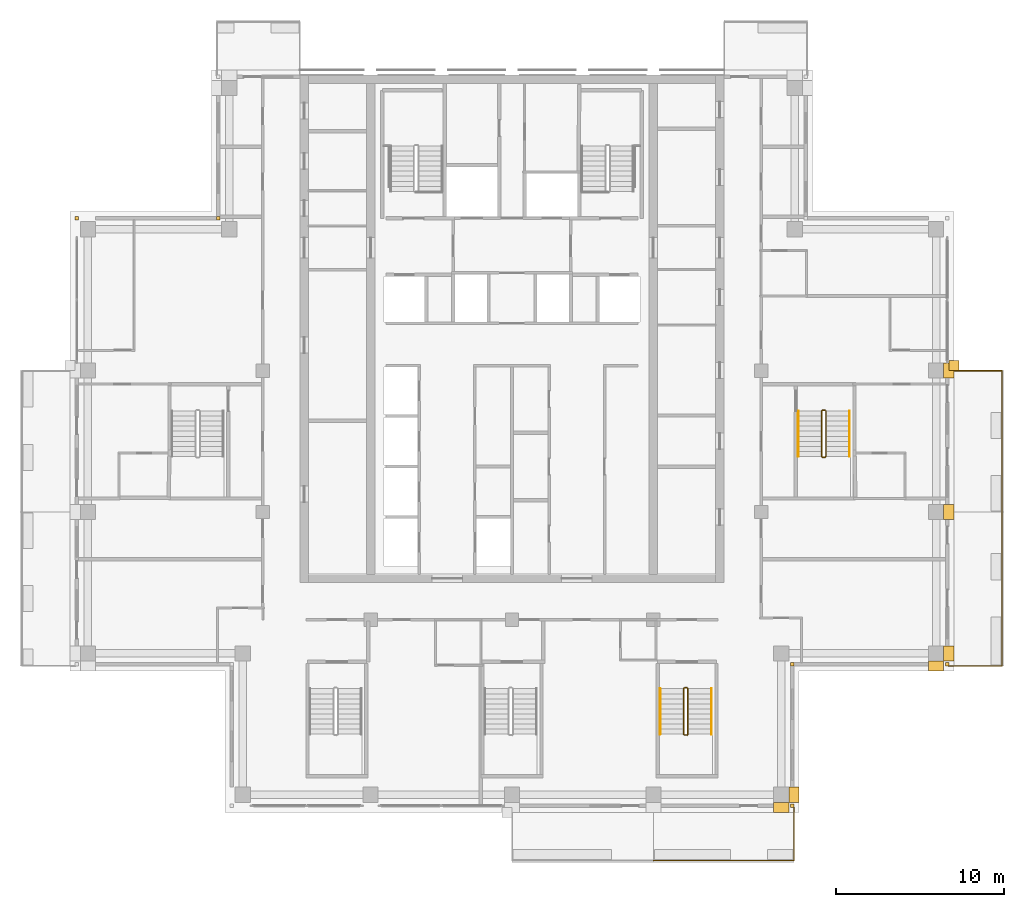
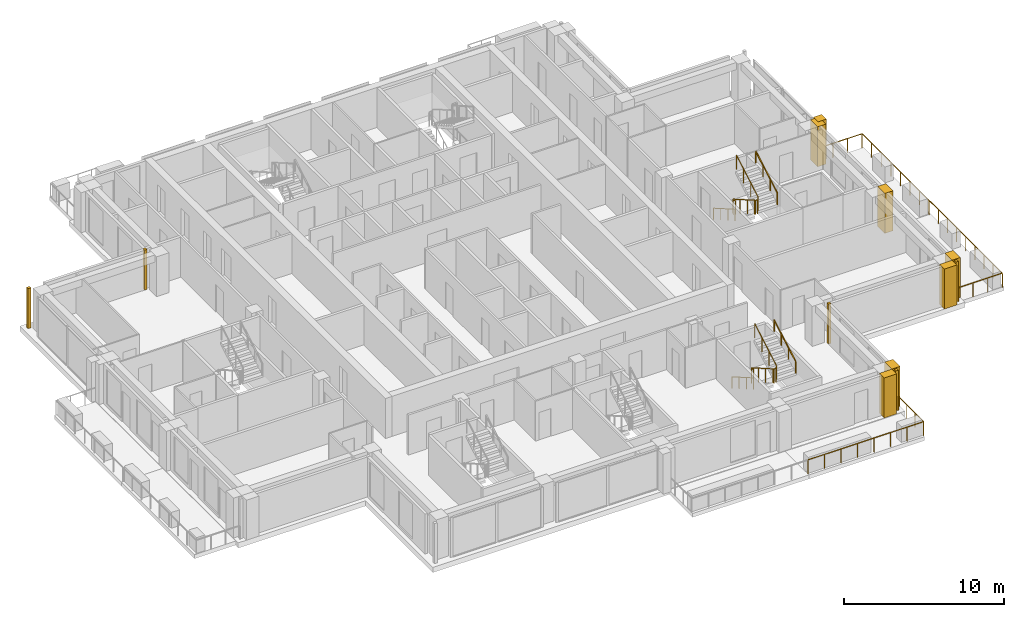
# One storey, part 16 of 17: 12 coverings, 9 railings.
"""IFC4 building model written with IfcOpenShell, lengths in metres."""

import ifcopenshell
import ifcopenshell.guid

model = None  # the IFC model being written
_history = None  # IfcOwnerHistory: only IFC2X3 demands one
_inside = {}  # id of a spatial element -> (the spatial element, [elements in it])
_under = {}  # id of a project, library or spatial element -> (it, [spatial elements below it])
_declared = {}  # id of a project -> (the project, [libraries it declares])
_typed = {}  # id of a type object -> (the type object, [elements of that type])
_made_of = {}  # id of a material, layer set ... -> (it, [elements and type objects made of it])


def new_model(schema):
    """Start an empty IFC model of exactly this schema.

    Asked for "IFC4X3", IfcOpenShell would pick the latest addendum, in which some entities
    have other attributes; the version numbers below select the first issue.
    IFC2X3 requires an IfcOwnerHistory on every rooted entity: one is made here for all.
    """
    global model, _history
    if schema == "IFC4X3":
        model = ifcopenshell.file(schema_version=(4, 3, 0, 0))
    else:
        model = ifcopenshell.file(schema=schema)
    _inside.clear()
    _under.clear()
    _declared.clear()
    _typed.clear()
    _made_of.clear()
    _history = None
    if model.schema == "IFC2X3":
        org = make("IfcOrganization", Name="unknown")
        user = make(
            "IfcPersonAndOrganization",
            ThePerson=make("IfcPerson", FamilyName="unknown"),
            TheOrganization=org,
        )
        app = make(
            "IfcApplication",
            ApplicationDeveloper=org,
            Version="unknown",
            ApplicationFullName="unknown",
            ApplicationIdentifier="unknown",
        )
        _history = make(
            "IfcOwnerHistory",
            OwningUser=user,
            OwningApplication=app,
            ChangeAction="ADDED",
            CreationDate=0,
        )
    return model


def make(cls, **values):
    """One entity of the class cls with the attributes given. An attribute that is None is left unset."""
    return model.create_entity(
        cls, **{name: value for name, value in values.items() if value is not None}
    )


def rooted(cls, **values):
    """An entity with a GlobalId (a new one), such as an element, a storey or a relation."""
    return make(cls, GlobalId=ifcopenshell.guid.new(), OwnerHistory=_history, **values)


def si_unit(unit_type, name, prefix=None):
    """IfcSIUnit, for example si_unit("LENGTHUNIT", "METRE", prefix="MILLI")."""
    return make("IfcSIUnit", UnitType=unit_type, Prefix=prefix, Name=name)


def assignment(units):
    """IfcUnitAssignment: the units of a project."""
    return None if units is None else make("IfcUnitAssignment", Units=units)


def point(xyz):
    """IfcCartesianPoint."""
    return None if xyz is None else make("IfcCartesianPoint", Coordinates=xyz)


def direction(xyz):
    """IfcDirection."""
    return None if xyz is None else make("IfcDirection", DirectionRatios=xyz)


def frame(location, z_axis=None, x_axis=None):
    """IfcAxis2Placement3D, a coordinate frame: its origin and axes. An axis left out is left unset."""
    return make(
        "IfcAxis2Placement3D",
        Location=point(location),
        Axis=direction(z_axis),
        RefDirection=direction(x_axis),
    )


def frame_2d(location, x_axis=None):
    """IfcAxis2Placement2D, a coordinate frame in the plane: its origin and x axis."""
    return make(
        "IfcAxis2Placement2D", Location=point(location), RefDirection=direction(x_axis)
    )


def origin():
    """The frame at (0, 0, 0) with its axes left unset."""
    return frame((0.0, 0.0, 0.0))


def origin_2d():
    """The frame at (0, 0) in the plane with its x axis left unset."""
    return frame_2d((0.0, 0.0))


def place(relative_to, where):
    """IfcLocalPlacement: puts the frame where relative to a parent placement (None: the world)."""
    return make(
        "IfcLocalPlacement", PlacementRelTo=relative_to, RelativePlacement=where
    )


def context(
    kind, dimensions, precision=None, world=None, true_north=None, identifier=None
):
    """IfcGeometricRepresentationContext, for example the 3D "Model" context."""
    return make(
        "IfcGeometricRepresentationContext",
        ContextIdentifier=identifier,
        ContextType=kind,
        CoordinateSpaceDimension=dimensions,
        Precision=precision,
        WorldCoordinateSystem=world,
        TrueNorth=true_north,
    )


def subcontext(parent, identifier, kind, view, scale=None):
    """IfcGeometricRepresentationSubContext, for example "Body" below "Model"."""
    return make(
        "IfcGeometricRepresentationSubContext",
        ContextIdentifier=identifier,
        ContextType=kind,
        ParentContext=parent,
        TargetScale=scale,
        TargetView=view,
    )


def project(units=None, contexts=None):
    """IfcProject with its units and contexts."""
    return rooted(
        "IfcProject",
        Name="project",
        RepresentationContexts=contexts,
        UnitsInContext=assignment(units),
    )


def spatial(cls, under=None, at=None, **own):
    """A site, building, storey or space (cls), placed at a placement, below another one or the project."""
    s = rooted(cls, ObjectPlacement=at, **own)
    if under is not None:
        _under.setdefault(under.id(), (under, []))[1].append(s)
    return s


def polyline(points):
    """IfcPolyline through the points."""
    return make("IfcPolyline", Points=[point(p) for p in points])


def profile(cls, at=None, kind="AREA", **sizes):
    """A parametric profile (cls). Its sizes go by their IFC names, for example OverallWidth=200.0."""
    return make(cls, ProfileType=kind, Position=at, **sizes)


def rectangle(**sizes):
    """IfcRectangleProfileDef."""
    return profile("IfcRectangleProfileDef", **sizes)


def outline(outer, holes=None, kind="AREA"):
    """IfcArbitraryClosedProfileDef: a profile drawn as a closed curve; with holes, ...WithVoids."""
    if holes is None:
        return make("IfcArbitraryClosedProfileDef", ProfileType=kind, OuterCurve=outer)
    return make(
        "IfcArbitraryProfileDefWithVoids",
        ProfileType=kind,
        OuterCurve=outer,
        InnerCurves=holes,
    )


def extrude(swept, where, along, depth):
    """IfcExtrudedAreaSolid: the profile swept, set in the frame where, extruded along a direction by depth."""
    return make(
        "IfcExtrudedAreaSolid",
        SweptArea=swept,
        Position=where,
        ExtrudedDirection=direction(along),
        Depth=depth,
    )


def shape(context_of_items, identifier, shape_type, items):
    """IfcShapeRepresentation: the items that make up one representation, for example the "Body"."""
    return make(
        "IfcShapeRepresentation",
        ContextOfItems=context_of_items,
        RepresentationIdentifier=identifier,
        RepresentationType=shape_type,
        Items=items,
    )


def material(Name=None, Category=None):
    """IfcMaterial."""
    return make("IfcMaterial", Name=Name, Category=Category)


def made_of(thing, what):
    """Note that an element or type object is made of a material, layer set ...; save() writes the relation."""
    if what is not None:
        _made_of.setdefault(what.id(), (what, []))[1].append(thing)
    return thing


def type_object(cls, material=None, **own):
    """A type object (cls), such as IfcWallType, which elements share."""
    return made_of(rooted(cls, **own), material)


def element(
    cls,
    number,
    at=None,
    inside=None,
    cuts=None,
    type_object=None,
    material=None,
    context=None,
    identifier="Body",
    shape_type=None,
    held_by="IfcProductDefinitionShape",
    body=None,
    shapes=None,
    **own,
):
    """One element of the class cls, such as IfcWall. Its Tag is "e" and its number.

    at: its placement. inside: the storey or other place that contains it. cuts: it is an
    opening in that element (IfcRelVoidsElement). A single representation is given by context,
    identifier, shape_type and body (its items); several are given by shapes. held_by: the class
    of the entity that holds the representations. save() writes the other relations.
    """
    e = rooted(cls, Tag="e%d" % number, ObjectPlacement=at, **own)
    if body is not None:
        shapes = [shape(context, identifier, shape_type, body)]
    if shapes is not None:
        e.Representation = make(held_by, Representations=shapes)
    if inside is not None:
        _inside.setdefault(inside.id(), (inside, []))[1].append(e)
    if cuts is not None:
        rooted(
            "IfcRelVoidsElement", RelatingBuildingElement=cuts, RelatedOpeningElement=e
        )
    if type_object is not None:
        _typed.setdefault(type_object.id(), (type_object, []))[1].append(e)
    return made_of(e, material)


def aggregate(whole, parts):
    """IfcRelAggregates: a whole, such as a stair, and the parts it consists of."""
    return rooted("IfcRelAggregates", RelatingObject=whole, RelatedObjects=parts)


def save(model, path):
    """Write the relations noted so far, then the file.

    IfcRelAggregates (storeys below a building ...), IfcRelContainedInSpatialStructure (elements
    in a storey), IfcRelDefinesByType, IfcRelAssociatesMaterial and IfcRelDeclares: one each for
    every whole, place, type object, material and project.
    """
    for whole, parts in _under.values():
        aggregate(whole, parts)
    for where, things in _inside.values():
        rooted(
            "IfcRelContainedInSpatialStructure",
            RelatedElements=things,
            RelatingStructure=where,
        )
    for kind, things in _typed.values():
        rooted("IfcRelDefinesByType", RelatedObjects=things, RelatingType=kind)
    for what, things in _made_of.values():
        rooted("IfcRelAssociatesMaterial", RelatedObjects=things, RelatingMaterial=what)
    for by, libraries in _declared.values():
        rooted("IfcRelDeclares", RelatingContext=by, RelatedDefinitions=libraries)
    model.write(path)


model = new_model("IFC4")

# Units and contexts
model_context = context("Model", 3, precision=1e-05, world=origin(), true_north=direction((0.0, 1.0)))
body_context = subcontext(model_context, "Body", "Model", "MODEL_VIEW")
ifc_project = project(units=[si_unit("LENGTHUNIT", "METRE"), si_unit("AREAUNIT", "SQUARE_METRE"), si_unit("VOLUMEUNIT", "CUBIC_METRE"), si_unit("PLANEANGLEUNIT", "RADIAN"), si_unit("MASSUNIT", "GRAM", prefix="KILO")], contexts=[model_context])

# Site, building, storey
site_placement = place(None, origin())
site = spatial("IfcSite", under=ifc_project, at=site_placement, CompositionType="ELEMENT")
building_placement = place(site_placement, origin())
building = spatial("IfcBuilding", under=site, at=building_placement, Name="Vermilion Ogive Tower", CompositionType="ELEMENT")
storey_placement = place(building_placement, frame((0.0, 0.0, 244.14990234375)))
storey = spatial("IfcBuildingStorey", under=building, at=storey_placement, Name="L64", CompositionType="ELEMENT", Elevation=244.14990234375)

# Railings
ifc_material_1 = material(Name="Stainless steel and glass", Category="steel")
railing_type_1 = type_object("IfcRailingType", Name="Balcony guard", PredefinedType="GUARDRAIL", material=ifc_material_1)
railing_1_placement = place(storey_placement, frame((8.39990234375, -24.909912109375, -0.039794921875)))
element("IfcRailing", 1, at=railing_1_placement, inside=storey, type_object=railing_type_1, Name="Guard S04", PredefinedType="GUARDRAIL", context=body_context, shape_type="SweptSolid", body=[
    extrude(rectangle(XDim=0.048095703125, YDim=0.048095703125, at=origin_2d()), frame((0.0, 0.0, 1.076171875), z_axis=(1.0, 0.0, 0.0), x_axis=(0.0, 1.0, 0.0)), (0.0, 0.0, 1.0), 8.35009765625),
    extrude(rectangle(XDim=0.048095703125, YDim=0.048095703125, at=origin_2d()), frame((8.35009765625, 0.0, 1.076171875), z_axis=(0.0, 1.0, 0.0), x_axis=(-1.0, 0.0, 0.0)), (0.0, 0.0, 1.0), 3.159912109375),
    extrude(rectangle(XDim=0.0419921875, YDim=0.0419921875, at=origin_2d()), origin(), (0.0, 0.0, 1.0), 1.052001953125),
    extrude(rectangle(XDim=0.0419921875, YDim=0.0419921875, at=origin_2d()), frame((1.19287109375, 0.0, 0.0)), (0.0, 0.0, 1.0), 1.052001953125),
    extrude(rectangle(XDim=0.0419921875, YDim=0.0419921875, at=origin_2d()), frame((2.3857421875, 0.0, 0.0)), (0.0, 0.0, 1.0), 1.052001953125),
    extrude(rectangle(XDim=0.0419921875, YDim=0.0419921875, at=origin_2d()), frame((3.57861328125, 0.0, 0.0)), (0.0, 0.0, 1.0), 1.052001953125),
    extrude(rectangle(XDim=0.0419921875, YDim=0.0419921875, at=origin_2d()), frame((4.771484375, 0.0, 0.0)), (0.0, 0.0, 1.0), 1.052001953125),
    extrude(rectangle(XDim=0.0419921875, YDim=0.0419921875, at=origin_2d()), frame((5.96435546875, 0.0, 0.0)), (0.0, 0.0, 1.0), 1.052001953125),
    extrude(rectangle(XDim=0.0419921875, YDim=0.0419921875, at=origin_2d()), frame((7.1572265625, 0.0, 0.0)), (0.0, 0.0, 1.0), 1.052001953125),
    extrude(rectangle(XDim=0.0419921875, YDim=0.0419921875, at=origin_2d()), frame((8.35009765625, 0.0, 0.0)), (0.0, 0.0, 1.0), 1.052001953125),
    extrude(rectangle(XDim=0.0419921875, YDim=0.0419921875, at=origin_2d()), frame((8.35009765625, 1.05322265625, 0.0)), (0.0, 0.0, 1.0), 1.052001953125),
    extrude(rectangle(XDim=0.0419921875, YDim=0.0419921875, at=origin_2d()), frame((8.35009765625, 2.106689453125, 0.0)), (0.0, 0.0, 1.0), 1.052001953125),
    extrude(rectangle(XDim=0.0419921875, YDim=0.0419921875, at=origin_2d()), frame((8.35009765625, 3.159912109375, 0.0)), (0.0, 0.0, 1.0), 1.052001953125),
])
railing_2_placement = place(storey_placement, frame((25.949951171875, -13.35009765625, -0.039794921875)))
element("IfcRailing", 2, at=railing_2_placement, inside=storey, type_object=railing_type_1, Name="Guard E01", PredefinedType="GUARDRAIL", context=body_context, shape_type="SweptSolid", body=[
    extrude(rectangle(XDim=0.048095703125, YDim=0.048095703125, at=origin_2d()), frame((0.0, 0.0, 1.076171875), z_axis=(1.0, 0.0, 0.0), x_axis=(0.0, 1.0, 0.0)), (0.0, 0.0, 1.0), 3.16015625),
    extrude(rectangle(XDim=0.048095703125, YDim=0.048095703125, at=origin_2d()), frame((3.16015625, 0.0, 1.076171875), z_axis=(0.0, 1.0, 0.0), x_axis=(-1.0, 0.0, 0.0)), (0.0, 0.0, 1.0), 9.150146484375),
    extrude(rectangle(XDim=0.0419921875, YDim=0.0419921875, at=origin_2d()), origin(), (0.0, 0.0, 1.0), 1.052001953125),
    extrude(rectangle(XDim=0.0419921875, YDim=0.0419921875, at=origin_2d()), frame((1.053466796875, 0.0, 0.0)), (0.0, 0.0, 1.0), 1.052001953125),
    extrude(rectangle(XDim=0.0419921875, YDim=0.0419921875, at=origin_2d()), frame((2.106689453125, 0.0, 0.0)), (0.0, 0.0, 1.0), 1.052001953125),
    extrude(rectangle(XDim=0.0419921875, YDim=0.0419921875, at=origin_2d()), frame((3.16015625, 0.0, 0.0)), (0.0, 0.0, 1.0), 1.052001953125),
    extrude(rectangle(XDim=0.0419921875, YDim=0.0419921875, at=origin_2d()), frame((3.16015625, 1.143798828125, 0.0)), (0.0, 0.0, 1.0), 1.052001953125),
    extrude(rectangle(XDim=0.0419921875, YDim=0.0419921875, at=origin_2d()), frame((3.16015625, 2.28759765625, 0.0)), (0.0, 0.0, 1.0), 1.052001953125),
    extrude(rectangle(XDim=0.0419921875, YDim=0.0419921875, at=origin_2d()), frame((3.16015625, 3.431396484375, 0.0)), (0.0, 0.0, 1.0), 1.052001953125),
    extrude(rectangle(XDim=0.0419921875, YDim=0.0419921875, at=origin_2d()), frame((3.16015625, 4.5751953125, 0.0)), (0.0, 0.0, 1.0), 1.052001953125),
    extrude(rectangle(XDim=0.0419921875, YDim=0.0419921875, at=origin_2d()), frame((3.16015625, 5.71875, 0.0)), (0.0, 0.0, 1.0), 1.052001953125),
    extrude(rectangle(XDim=0.0419921875, YDim=0.0419921875, at=origin_2d()), frame((3.16015625, 6.862548828125, 0.0)), (0.0, 0.0, 1.0), 1.052001953125),
    extrude(rectangle(XDim=0.0419921875, YDim=0.0419921875, at=origin_2d()), frame((3.16015625, 8.00634765625, 0.0)), (0.0, 0.0, 1.0), 1.052001953125),
    extrude(rectangle(XDim=0.0419921875, YDim=0.0419921875, at=origin_2d()), frame((3.16015625, 9.150146484375, 0.0)), (0.0, 0.0, 1.0), 1.052001953125),
])
railing_3_placement = place(storey_placement, frame((29.110107421875, -4.199951171875, -0.039794921875)))
element("IfcRailing", 3, at=railing_3_placement, inside=storey, type_object=railing_type_1, Name="Guard E02", PredefinedType="GUARDRAIL", context=body_context, shape_type="SweptSolid", body=[
    extrude(rectangle(XDim=0.048095703125, YDim=0.048095703125, at=origin_2d()), frame((0.0, 0.0, 1.076171875), z_axis=(0.0, 1.0, 0.0), x_axis=(-1.0, 0.0, 0.0)), (0.0, 0.0, 1.0), 8.39990234375),
    extrude(rectangle(XDim=0.048095703125, YDim=0.048095703125, at=origin_2d()), frame((0.0, 8.39990234375, 1.076171875), z_axis=(-1.0, 0.0, 0.0), x_axis=(0.0, -1.0, 0.0)), (0.0, 0.0, 1.0), 3.16015625),
    extrude(rectangle(XDim=0.0419921875, YDim=0.0419921875, at=origin_2d()), origin(), (0.0, 0.0, 1.0), 1.052001953125),
    extrude(rectangle(XDim=0.0419921875, YDim=0.0419921875, at=origin_2d()), frame((0.0, 1.199951171875, 0.0)), (0.0, 0.0, 1.0), 1.052001953125),
    extrude(rectangle(XDim=0.0419921875, YDim=0.0419921875, at=origin_2d()), frame((0.0, 2.39990234375, 0.0)), (0.0, 0.0, 1.0), 1.052001953125),
    extrude(rectangle(XDim=0.0419921875, YDim=0.0419921875, at=origin_2d()), frame((0.0, 3.599853515625, 0.0)), (0.0, 0.0, 1.0), 1.052001953125),
    extrude(rectangle(XDim=0.0419921875, YDim=0.0419921875, at=origin_2d()), frame((0.0, 4.800048828125, 0.0)), (0.0, 0.0, 1.0), 1.052001953125),
    extrude(rectangle(XDim=0.0419921875, YDim=0.0419921875, at=origin_2d()), frame((0.0, 6.0, 0.0)), (0.0, 0.0, 1.0), 1.052001953125),
    extrude(rectangle(XDim=0.0419921875, YDim=0.0419921875, at=origin_2d()), frame((0.0, 7.199951171875, 0.0)), (0.0, 0.0, 1.0), 1.052001953125),
    extrude(rectangle(XDim=0.0419921875, YDim=0.0419921875, at=origin_2d()), frame((0.0, 8.39990234375, 0.0)), (0.0, 0.0, 1.0), 1.052001953125),
    extrude(rectangle(XDim=0.0419921875, YDim=0.0419921875, at=origin_2d()), frame((-1.053466796875, 8.39990234375, 0.0)), (0.0, 0.0, 1.0), 1.052001953125),
    extrude(rectangle(XDim=0.0419921875, YDim=0.0419921875, at=origin_2d()), frame((-2.106689453125, 8.39990234375, 0.0)), (0.0, 0.0, 1.0), 1.052001953125),
    extrude(rectangle(XDim=0.0419921875, YDim=0.0419921875, at=origin_2d()), frame((-3.16015625, 8.39990234375, 0.0)), (0.0, 0.0, 1.0), 1.052001953125),
])
ifc_material_2 = material(Name="Steel S355 painted", Category="steel")
railing_type_2 = type_object("IfcRailingType", Name="Stair guard 1100", PredefinedType="GUARDRAIL", material=ifc_material_2)
railing_4_placement = place(storey_placement, frame((10.39990234375, -14.64990234375, 0.0)))
element("IfcRailing", 4, at=railing_4_placement, inside=storey, type_object=railing_type_2, Name="L64 ST5 stair guard 4", PredefinedType="GUARDRAIL", context=body_context, shape_type="SweptSolid", body=[
    extrude(rectangle(XDim=0.048095703125, YDim=0.048095703125, at=origin_2d()), frame((0.0, 0.0, 1.076171875), z_axis=(-1.0, 0.0, 0.0), x_axis=(0.0, -1.0, 0.0)), (0.0, 0.0, 1.0), 0.14990234375),
    extrude(rectangle(XDim=0.048095703125, YDim=0.048095703125, at=origin_2d()), frame((-0.14990234375, 0.0, 1.076171875), z_axis=(-0.268277960024, -0.268277960024, 0.925231793839), x_axis=(0.707106781187, -0.707106781187, 0.0)), (0.0, 0.0, 1.0), 0.1865234375),
    extrude(rectangle(XDim=0.048095703125, YDim=0.048095703125, at=origin_2d()), frame((-0.199951171875, -0.050048828125, 1.24853515625), z_axis=(0.0, -0.866903762492, 0.498475542607), x_axis=(1.0, 0.0, 0.0)), (0.0, 0.0, 1.0), 3.114501953125),
    extrude(rectangle(XDim=0.048095703125, YDim=0.048095703125, at=origin_2d()), frame((-0.199951171875, -2.75, 2.80126953125), z_axis=(0.707106781187, -0.707106781187, 0.0), x_axis=(0.707106781187, 0.707106781187, 0.0)), (0.0, 0.0, 1.0), 0.07080078125),
    extrude(rectangle(XDim=0.048095703125, YDim=0.048095703125, at=origin_2d()), frame((-0.14990234375, -2.800048828125, 2.80126953125), z_axis=(1.0, 0.0, 0.0), x_axis=(0.0, 1.0, 0.0)), (0.0, 0.0, 1.0), 0.14990234375),
    extrude(rectangle(XDim=0.048095703125, YDim=0.048095703125, at=origin_2d()), frame((0.0, -2.800048828125, 2.80126953125), z_axis=(0.268277960024, 0.268277960024, 0.925231793839), x_axis=(-0.707106781187, 0.707106781187, 0.0)), (0.0, 0.0, 1.0), 0.1865234375),
    extrude(rectangle(XDim=0.048095703125, YDim=0.048095703125, at=origin_2d()), frame((0.050048828125, -2.75, 2.9736328125), z_axis=(0.0, 0.866903762492, 0.498475542607), x_axis=(-1.0, 0.0, 0.0)), (0.0, 0.0, 1.0), 3.114501953125),
    extrude(rectangle(XDim=0.0419921875, YDim=0.0419921875, at=origin_2d()), origin(), (0.0, 0.0, 1.0), 1.052001953125),
    extrude(rectangle(XDim=0.0419921875, YDim=0.0419921875, at=origin_2d()), frame((-0.14990234375, 0.0, 0.0)), (0.0, 0.0, 1.0), 1.052001953125),
    extrude(rectangle(XDim=0.0419921875, YDim=0.0419921875, at=origin_2d()), frame((-0.199951171875, -0.050048828125, 0.172607421875)), (0.0, 0.0, 1.0), 1.052001953125),
    extrude(rectangle(XDim=0.0419921875, YDim=0.0419921875, at=origin_2d()), frame((-0.199951171875, -0.949951171875, 0.690185546875)), (0.0, 0.0, 1.0), 1.052001953125),
    extrude(rectangle(XDim=0.0419921875, YDim=0.0419921875, at=origin_2d()), frame((-0.199951171875, -1.85009765625, 1.20751953125)), (0.0, 0.0, 1.0), 1.052001953125),
    extrude(rectangle(XDim=0.0419921875, YDim=0.0419921875, at=origin_2d()), frame((-0.199951171875, -2.75, 1.72509765625)), (0.0, 0.0, 1.0), 1.052001953125),
    extrude(rectangle(XDim=0.0419921875, YDim=0.0419921875, at=origin_2d()), frame((-0.14990234375, -2.800048828125, 1.72509765625)), (0.0, 0.0, 1.0), 1.052001953125),
    extrude(rectangle(XDim=0.0419921875, YDim=0.0419921875, at=origin_2d()), frame((0.0, -2.800048828125, 1.72509765625)), (0.0, 0.0, 1.0), 1.052001953125),
    extrude(rectangle(XDim=0.0419921875, YDim=0.0419921875, at=origin_2d()), frame((0.050048828125, -2.75, 1.897705078125)), (0.0, 0.0, 1.0), 1.052001953125),
    extrude(rectangle(XDim=0.0419921875, YDim=0.0419921875, at=origin_2d()), frame((0.050048828125, -1.85009765625, 2.415283203125)), (0.0, 0.0, 1.0), 1.052001953125),
    extrude(rectangle(XDim=0.0419921875, YDim=0.0419921875, at=origin_2d()), frame((0.050048828125, -0.949951171875, 2.9326171875)), (0.0, 0.0, 1.0), 1.052001953125),
    extrude(rectangle(XDim=0.0419921875, YDim=0.0419921875, at=origin_2d()), frame((0.050048828125, -0.050048828125, 3.4501953125)), (0.0, 0.0, 1.0), 1.052001953125),
])
railing_5_placement = place(storey_placement, frame((18.60009765625, 1.85009765625, 0.0)))
element("IfcRailing", 5, at=railing_5_placement, inside=storey, type_object=railing_type_2, Name="L64 ST8 stair guard 4", PredefinedType="GUARDRAIL", context=body_context, shape_type="SweptSolid", body=[
    extrude(rectangle(XDim=0.048095703125, YDim=0.048095703125, at=origin_2d()), frame((0.0, 0.0, 1.076171875), z_axis=(-1.0, 0.0, 0.0), x_axis=(0.0, -1.0, 0.0)), (0.0, 0.0, 1.0), 0.150146484375),
    extrude(rectangle(XDim=0.048095703125, YDim=0.048095703125, at=origin_2d()), frame((-0.150146484375, 0.0, 1.076171875), z_axis=(-0.268277960024, -0.268277960024, 0.925231793839), x_axis=(0.707106781187, -0.707106781187, 0.0)), (0.0, 0.0, 1.0), 0.1865234375),
    extrude(rectangle(XDim=0.048095703125, YDim=0.048095703125, at=origin_2d()), frame((-0.2001953125, -0.050048828125, 1.24853515625), z_axis=(0.0, -0.866903762492, 0.498475542607), x_axis=(1.0, 0.0, 0.0)), (0.0, 0.0, 1.0), 3.114501953125),
    extrude(rectangle(XDim=0.048095703125, YDim=0.048095703125, at=origin_2d()), frame((-0.2001953125, -2.75, 2.80126953125), z_axis=(0.707106781187, -0.707106781187, 0.0), x_axis=(0.707106781187, 0.707106781187, 0.0)), (0.0, 0.0, 1.0), 0.07080078125),
    extrude(rectangle(XDim=0.048095703125, YDim=0.048095703125, at=origin_2d()), frame((-0.150146484375, -2.800048828125, 2.80126953125), z_axis=(1.0, 0.0, 0.0), x_axis=(0.0, 1.0, 0.0)), (0.0, 0.0, 1.0), 0.150146484375),
    extrude(rectangle(XDim=0.048095703125, YDim=0.048095703125, at=origin_2d()), frame((0.0, -2.800048828125, 2.80126953125), z_axis=(0.267062837333, 0.268371968888, 0.925556009775), x_axis=(-0.708833529934, 0.705375805398, 0.0)), (0.0, 0.0, 1.0), 0.1865234375),
    extrude(rectangle(XDim=0.048095703125, YDim=0.048095703125, at=origin_2d()), frame((0.0498046875, -2.75, 2.9736328125), z_axis=(0.0, 0.866903762492, 0.498475542607), x_axis=(-1.0, 0.0, 0.0)), (0.0, 0.0, 1.0), 3.114501953125),
    extrude(rectangle(XDim=0.0419921875, YDim=0.0419921875, at=origin_2d()), origin(), (0.0, 0.0, 1.0), 1.052001953125),
    extrude(rectangle(XDim=0.0419921875, YDim=0.0419921875, at=origin_2d()), frame((-0.150146484375, 0.0, 0.0)), (0.0, 0.0, 1.0), 1.052001953125),
    extrude(rectangle(XDim=0.0419921875, YDim=0.0419921875, at=origin_2d()), frame((-0.2001953125, -0.050048828125, 0.172607421875)), (0.0, 0.0, 1.0), 1.052001953125),
    extrude(rectangle(XDim=0.0419921875, YDim=0.0419921875, at=origin_2d()), frame((-0.2001953125, -0.949951171875, 0.690185546875)), (0.0, 0.0, 1.0), 1.052001953125),
    extrude(rectangle(XDim=0.0419921875, YDim=0.0419921875, at=origin_2d()), frame((-0.2001953125, -1.85009765625, 1.20751953125)), (0.0, 0.0, 1.0), 1.052001953125),
    extrude(rectangle(XDim=0.0419921875, YDim=0.0419921875, at=origin_2d()), frame((-0.2001953125, -2.75, 1.72509765625)), (0.0, 0.0, 1.0), 1.052001953125),
    extrude(rectangle(XDim=0.0419921875, YDim=0.0419921875, at=origin_2d()), frame((-0.150146484375, -2.800048828125, 1.72509765625)), (0.0, 0.0, 1.0), 1.052001953125),
    extrude(rectangle(XDim=0.0419921875, YDim=0.0419921875, at=origin_2d()), frame((0.0, -2.800048828125, 1.72509765625)), (0.0, 0.0, 1.0), 1.052001953125),
    extrude(rectangle(XDim=0.0419921875, YDim=0.0419921875, at=origin_2d()), frame((0.0498046875, -2.75, 1.897705078125)), (0.0, 0.0, 1.0), 1.052001953125),
    extrude(rectangle(XDim=0.0419921875, YDim=0.0419921875, at=origin_2d()), frame((0.0498046875, -1.85009765625, 2.415283203125)), (0.0, 0.0, 1.0), 1.052001953125),
    extrude(rectangle(XDim=0.0419921875, YDim=0.0419921875, at=origin_2d()), frame((0.0498046875, -0.949951171875, 2.9326171875)), (0.0, 0.0, 1.0), 1.052001953125),
    extrude(rectangle(XDim=0.0419921875, YDim=0.0419921875, at=origin_2d()), frame((0.0498046875, -0.050048828125, 3.4501953125)), (0.0, 0.0, 1.0), 1.052001953125),
])
ifc_material_3 = material(Name="Stainless steel", Category="steel")
railing_type_3 = type_object("IfcRailingType", Name="Stair handrail 900", PredefinedType="HANDRAIL", material=ifc_material_3)
railing_6_placement = place(storey_placement, frame((8.800048828125, -14.699951171875, 0.172607421875)))
element("IfcRailing", 6, at=railing_6_placement, inside=storey, type_object=railing_type_3, Name="L64 ST5 stair handrail 1", PredefinedType="HANDRAIL", context=body_context, shape_type="SweptSolid", body=[
    extrude(rectangle(XDim=0.048095703125, YDim=0.048095703125, at=origin_2d()), frame((0.0, 0.0, 0.8759765625), z_axis=(0.0, -0.866903762492, 0.498475542607), x_axis=(1.0, 0.0, 0.0)), (0.0, 0.0, 1.0), 3.114501953125),
    extrude(rectangle(XDim=0.0419921875, YDim=0.0419921875, at=origin_2d()), origin(), (0.0, 0.0, 1.0), 0.851806640625),
    extrude(rectangle(XDim=0.0419921875, YDim=0.0419921875, at=origin_2d()), frame((0.0, -0.89990234375, 0.517578125)), (0.0, 0.0, 1.0), 0.851806640625),
    extrude(rectangle(XDim=0.0419921875, YDim=0.0419921875, at=origin_2d()), frame((0.0, -1.800048828125, 1.034912109375)), (0.0, 0.0, 1.0), 0.851806640625),
    extrude(rectangle(XDim=0.0419921875, YDim=0.0419921875, at=origin_2d()), frame((0.0, -2.699951171875, 1.552490234375)), (0.0, 0.0, 1.0), 0.851806640625),
])
railing_7_placement = place(storey_placement, frame((11.85009765625, -17.39990234375, 1.897705078125)))
element("IfcRailing", 7, at=railing_7_placement, inside=storey, type_object=railing_type_3, Name="L64 ST5 stair handrail 2", PredefinedType="HANDRAIL", context=body_context, shape_type="SweptSolid", body=[
    extrude(rectangle(XDim=0.048095703125, YDim=0.048095703125, at=origin_2d()), frame((0.0, 0.0, 0.8759765625), z_axis=(0.0, 0.866903762492, 0.498475542607), x_axis=(-1.0, 0.0, 0.0)), (0.0, 0.0, 1.0), 3.114501953125),
    extrude(rectangle(XDim=0.0419921875, YDim=0.0419921875, at=origin_2d()), origin(), (0.0, 0.0, 1.0), 0.851806640625),
    extrude(rectangle(XDim=0.0419921875, YDim=0.0419921875, at=origin_2d()), frame((0.0, 0.89990234375, 0.517578125)), (0.0, 0.0, 1.0), 0.851806640625),
    extrude(rectangle(XDim=0.0419921875, YDim=0.0419921875, at=origin_2d()), frame((0.0, 1.800048828125, 1.034912109375)), (0.0, 0.0, 1.0), 0.851806640625),
    extrude(rectangle(XDim=0.0419921875, YDim=0.0419921875, at=origin_2d()), frame((0.0, 2.699951171875, 1.552490234375)), (0.0, 0.0, 1.0), 0.851806640625),
])
railing_8_placement = place(storey_placement, frame((17.0, 1.800048828125, 0.172607421875)))
element("IfcRailing", 8, at=railing_8_placement, inside=storey, type_object=railing_type_3, Name="L64 ST8 stair handrail 1", PredefinedType="HANDRAIL", context=body_context, shape_type="SweptSolid", body=[
    extrude(rectangle(XDim=0.048095703125, YDim=0.048095703125, at=origin_2d()), frame((0.0, 0.0, 0.8759765625), z_axis=(0.0, -0.866903762492, 0.498475542607), x_axis=(1.0, 0.0, 0.0)), (0.0, 0.0, 1.0), 3.114501953125),
    extrude(rectangle(XDim=0.0419921875, YDim=0.0419921875, at=origin_2d()), origin(), (0.0, 0.0, 1.0), 0.851806640625),
    extrude(rectangle(XDim=0.0419921875, YDim=0.0419921875, at=origin_2d()), frame((0.0, -0.89990234375, 0.517578125)), (0.0, 0.0, 1.0), 0.851806640625),
    extrude(rectangle(XDim=0.0419921875, YDim=0.0419921875, at=origin_2d()), frame((0.0, -1.800048828125, 1.034912109375)), (0.0, 0.0, 1.0), 0.851806640625),
    extrude(rectangle(XDim=0.0419921875, YDim=0.0419921875, at=origin_2d()), frame((0.0, -2.699951171875, 1.552490234375)), (0.0, 0.0, 1.0), 0.851806640625),
])
railing_9_placement = place(storey_placement, frame((20.050048828125, -0.89990234375, 1.897705078125)))
element("IfcRailing", 9, at=railing_9_placement, inside=storey, type_object=railing_type_3, Name="L64 ST8 stair handrail 2", PredefinedType="HANDRAIL", context=body_context, shape_type="SweptSolid", body=[
    extrude(rectangle(XDim=0.048095703125, YDim=0.048095703125, at=origin_2d()), frame((0.0, 0.0, 0.8759765625), z_axis=(0.0, 0.866903762492, 0.498475542607), x_axis=(-1.0, 0.0, 0.0)), (0.0, 0.0, 1.0), 3.114501953125),
    extrude(rectangle(XDim=0.0419921875, YDim=0.0419921875, at=origin_2d()), origin(), (0.0, 0.0, 1.0), 0.851806640625),
    extrude(rectangle(XDim=0.0419921875, YDim=0.0419921875, at=origin_2d()), frame((0.0, 0.89990234375, 0.517578125)), (0.0, 0.0, 1.0), 0.851806640625),
    extrude(rectangle(XDim=0.0419921875, YDim=0.0419921875, at=origin_2d()), frame((0.0, 1.800048828125, 1.034912109375)), (0.0, 0.0, 1.0), 0.851806640625),
    extrude(rectangle(XDim=0.0419921875, YDim=0.0419921875, at=origin_2d()), frame((0.0, 2.699951171875, 1.552490234375)), (0.0, 0.0, 1.0), 0.851806640625),
])

# Coverings
ifc_material_4 = material(Name="Stone cladding", Category="masonry")
covering_type_1 = type_object("IfcCoveringType", Name="Stone corner buttress", PredefinedType="CLADDING", material=ifc_material_4)
covering_1_placement = place(storey_placement, origin())
element("IfcCovering", 10, at=covering_1_placement, inside=storey, type_object=covering_type_1, Name="Stone crease pier EK", PredefinedType="CLADDING", context=body_context, shape_type="SweptSolid", body=[
    extrude(outline(polyline([(26.550048828125, 4.199951171875), (26.550048828125, 4.800048828125), (25.949951171875, 4.800048828125), (25.949951171875, 4.199951171875), (26.550048828125, 4.199951171875)])), origin(), (0.0, 0.0, 1.0), 3.050048828125),
])
ifc_material_5 = material(Name="Stone cladding", Category="masonry")
covering_type_2 = type_object("IfcCoveringType", Name="Stone pier", PredefinedType="CLADDING", material=ifc_material_5)
covering_2_placement = place(storey_placement, origin())
element("IfcCovering", 11, at=covering_2_placement, inside=storey, type_object=covering_type_2, Name="Stone corner pier SE1", PredefinedType="CLADDING", context=body_context, shape_type="SweptSolid", body=[
    extrude(outline(polyline([(16.550048828125, -21.550048828125), (16.75, -21.550048828125), (16.75, -21.75), (16.550048828125, -21.75), (16.550048828125, -21.550048828125)])), origin(), (0.0, 0.0, 1.0), 3.050048828125),
])
covering_3_placement = place(storey_placement, origin())
element("IfcCovering", 12, at=covering_3_placement, inside=storey, type_object=covering_type_2, Name="Stone corner pier X1E1", PredefinedType="CLADDING", context=body_context, shape_type="SweptSolid", body=[
    extrude(outline(polyline([(16.550048828125, -13.14990234375), (16.75, -13.14990234375), (16.75, -13.35009765625), (16.550048828125, -13.35009765625), (16.550048828125, -13.14990234375)])), origin(), (0.0, 0.0, 1.0), 3.050048828125),
])
covering_4_placement = place(storey_placement, origin())
element("IfcCovering", 13, at=covering_4_placement, inside=storey, type_object=covering_type_2, Name="Stone corner pier X2E1", PredefinedType="CLADDING", context=body_context, shape_type="SweptSolid", body=[
    extrude(outline(polyline([(25.75, -13.14990234375), (25.949951171875, -13.14990234375), (25.949951171875, -13.35009765625), (25.75, -13.35009765625), (25.75, -13.14990234375)])), origin(), (0.0, 0.0, 1.0), 3.050048828125),
])
covering_5_placement = place(storey_placement, origin())
element("IfcCovering", 14, at=covering_5_placement, inside=storey, type_object=covering_type_2, Name="Stone corner pier X5E1", PredefinedType="CLADDING", context=body_context, shape_type="SweptSolid", body=[
    extrude(outline(polyline([(-17.35009765625, 13.14990234375), (-17.550048828125, 13.14990234375), (-17.550048828125, 13.35009765625), (-17.35009765625, 13.35009765625), (-17.35009765625, 13.14990234375)])), origin(), (0.0, 0.0, 1.0), 3.050048828125),
])
covering_6_placement = place(storey_placement, origin())
element("IfcCovering", 15, at=covering_6_placement, inside=storey, type_object=covering_type_2, Name="Stone corner pier X6E1", PredefinedType="CLADDING", context=body_context, shape_type="SweptSolid", body=[
    extrude(outline(polyline([(-25.75, 13.14990234375), (-25.949951171875, 13.14990234375), (-25.949951171875, 13.35009765625), (-25.75, 13.35009765625), (-25.75, 13.14990234375)])), origin(), (0.0, 0.0, 1.0), 3.050048828125),
])
covering_7_placement = place(storey_placement, origin())
element("IfcCovering", 16, at=covering_7_placement, inside=storey, type_object=covering_type_2, Name="Stone pier P+0160-210S", PredefinedType="CLADDING", context=body_context, shape_type="SweptSolid", body=[
    extrude(outline(polyline([(16.449951171875, -21.449951171875), (16.449951171875, -21.449951171875), (16.449951171875, -22.050048828125), (15.550048828125, -22.050048828125), (15.550048828125, -21.449951171875), (15.550048828125, -21.449951171875), (16.449951171875, -21.449951171875)])), origin(), (0.0, 0.0, 1.0), 3.050048828125),
])
covering_8_placement = place(storey_placement, origin())
element("IfcCovering", 17, at=covering_8_placement, inside=storey, type_object=covering_type_2, Name="Stone pier P+0160-210X1", PredefinedType="CLADDING", context=body_context, shape_type="SweptSolid", body=[
    extrude(outline(polyline([(17.050048828125, -21.449951171875), (16.449951171875, -21.449951171875), (16.449951171875, -21.449951171875), (16.449951171875, -20.550048828125), (17.050048828125, -20.550048828125), (17.050048828125, -21.449951171875)])), origin(), (0.0, 0.0, 1.0), 3.050048828125),
])
covering_9_placement = place(storey_placement, origin())
element("IfcCovering", 18, at=covering_9_placement, inside=storey, type_object=covering_type_2, Name="Stone pier P+0252+042", PredefinedType="CLADDING", context=body_context, shape_type="SweptSolid", body=[
    extrude(outline(polyline([(25.949951171875, 4.64990234375), (25.949951171875, 4.199951171875), (26.25, 4.199951171875), (26.25, 3.75), (25.64990234375, 3.75), (25.64990234375, 4.64990234375), (25.949951171875, 4.64990234375)])), origin(), (0.0, 0.0, 1.0), 3.050048828125),
])
covering_10_placement = place(storey_placement, origin())
element("IfcCovering", 19, at=covering_10_placement, inside=storey, type_object=covering_type_2, Name="Stone pier P+0252-042", PredefinedType="CLADDING", context=body_context, shape_type="SweptSolid", body=[
    extrude(outline(polyline([(26.25, -3.75), (26.25, -4.64990234375), (25.64990234375, -4.64990234375), (25.64990234375, -3.75), (26.25, -3.75)])), origin(), (0.0, 0.0, 1.0), 3.050048828125),
])
covering_11_placement = place(storey_placement, origin())
element("IfcCovering", 20, at=covering_11_placement, inside=storey, type_object=covering_type_2, Name="Stone pier P+0252-126X2", PredefinedType="CLADDING", context=body_context, shape_type="SweptSolid", body=[
    extrude(outline(polyline([(25.64990234375, -13.64990234375), (24.75, -13.64990234375), (24.75, -13.050048828125), (25.64990234375, -13.050048828125), (25.64990234375, -13.64990234375)])), origin(), (0.0, 0.0, 1.0), 3.050048828125),
])
covering_12_placement = place(storey_placement, origin())
element("IfcCovering", 21, at=covering_12_placement, inside=storey, type_object=covering_type_2, Name="Stone pier P+0252-126E", PredefinedType="CLADDING", context=body_context, shape_type="SweptSolid", body=[
    extrude(outline(polyline([(26.25, -13.050048828125), (25.64990234375, -13.050048828125), (25.64990234375, -12.14990234375), (26.25, -12.14990234375), (26.25, -13.050048828125)])), origin(), (0.0, 0.0, 1.0), 3.050048828125),
])

save(model, "model.ifc")
